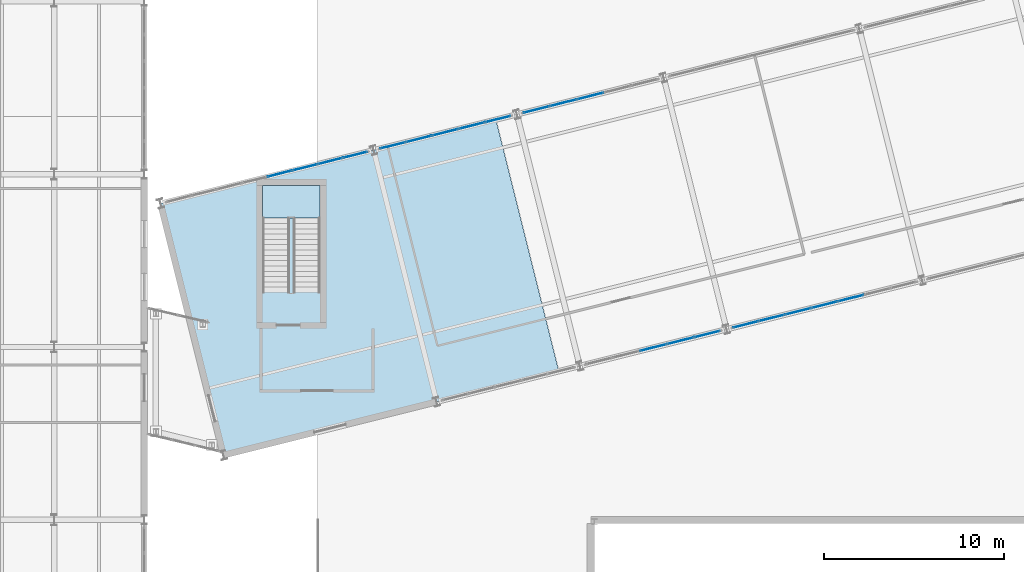
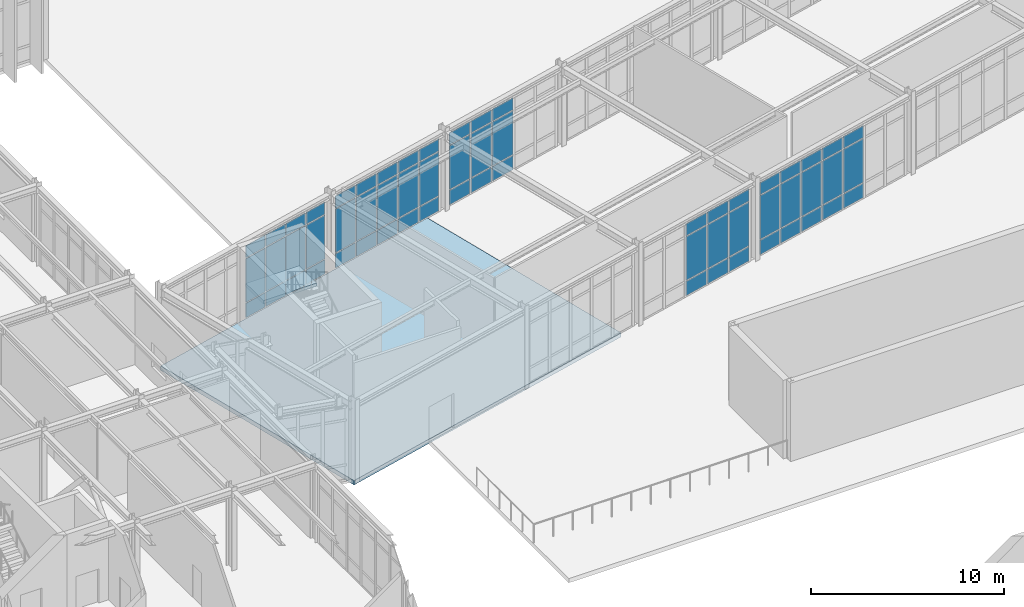
# One storey, part 67 of 109: 60 plates, 2 slabs, 6 elements without a shape of their own.
"""IFC4 building model written with IfcOpenShell, lengths in metres."""

from ifc_helpers import new_model, si_unit, direction, frame, origin, origin_2d, place, context, subcontext, project, spatial, polyline, rectangle, outline, extrude, material, layer, layer_set, type_object, element, aggregate, save


model = new_model("IFC4")

# Units and contexts
model_context = context("Model", 3, precision=1e-05, world=origin(), true_north=direction((0.0, 1.0)))
body_context = subcontext(model_context, "Body", "Model", "MODEL_VIEW")
ifc_project = project(units=[si_unit("LENGTHUNIT", "METRE"), si_unit("AREAUNIT", "SQUARE_METRE"), si_unit("VOLUMEUNIT", "CUBIC_METRE"), si_unit("PLANEANGLEUNIT", "RADIAN"), si_unit("MASSUNIT", "GRAM", prefix="KILO")], contexts=[model_context])

# Site, building, storey
site_placement = place(None, origin())
site = spatial("IfcSite", under=ifc_project, at=site_placement, CompositionType="ELEMENT")
building_placement = place(site_placement, origin())
building = spatial("IfcBuilding", under=site, at=building_placement, Name="Nordkorset Police Headquarters", CompositionType="ELEMENT")
storey_placement = place(building_placement, origin())
storey = spatial("IfcBuildingStorey", under=building, at=storey_placement, Name="L00", CompositionType="ELEMENT", Elevation=0.0)

# Curtain wall, plates
ifc_material_1 = material(Name="Aluminium alloy AW-6060", Category="aluminium")
ifc_layer_1 = layer(ifc_material_1, 0.179931640625, Name="Aluminium alloy AW-6060")
ifc_layer_set_1 = layer_set([ifc_layer_1], Name="Aluminium alloy AW-6060")
curtain_wall_type_1 = type_object("IfcCurtainWallType", Name="CW_Unit_1156x467", PredefinedType="USERDEFINED", material=ifc_layer_set_1)
curtain_wall_1_placement = place(storey_placement, origin())
curtain_wall_1 = element("IfcCurtainWall", 1, at=curtain_wall_1_placement, inside=storey, type_object=curtain_wall_type_1, Name="Unitised Curtain Wall L00 V4N-0", ObjectType="UNITISED CURTAIN WALL", PredefinedType="USERDEFINED")
ifc_material_2 = material(Name="Low-iron triple glazing", Category="glass")
ifc_layer_2 = layer(ifc_material_2, 0.035888671875, Name="Low-iron triple glazing")
ifc_layer_set_2 = layer_set([ifc_layer_2], Name="Low-iron triple glazing")
plate_type = type_object("IfcPlateType", Name="CW_Panel_TripleGlazing_36", PredefinedType="CURTAIN_PANEL", material=ifc_layer_set_2)
plate_1_placement = place(storey_placement, frame((26.726318359375, 57.624755859375, 0.06494140625), z_axis=(0.0, 0.0, 1.0), x_axis=(0.970142347489, 0.242536235663, 0.0)))
plate_1 = element("IfcPlate", 2, at=plate_1_placement, type_object=plate_type, Name="CW-93 panel 5.1", PredefinedType="CURTAIN_PANEL", context=body_context, shape_type="SweptSolid", body=[
    extrude(rectangle(XDim=1.3798828125, YDim=0.035888671875, at=origin_2d()), origin(), (0.0, 0.0, 1.0), 0.902587890625),
])
plate_2_placement = place(storey_placement, frame((26.726318359375, 57.624755859375, 1.032470703125), z_axis=(0.0, 0.0, 1.0), x_axis=(0.970142347489, 0.242536235663, 0.0)))
plate_2 = element("IfcPlate", 3, at=plate_2_placement, type_object=plate_type, Name="CW-93 panel 5.2", PredefinedType="CURTAIN_PANEL", context=body_context, shape_type="SweptSolid", body=[
    extrude(rectangle(XDim=1.3798828125, YDim=0.035888671875, at=origin_2d()), origin(), (0.0, 0.0, 1.0), 2.7548828125),
])
plate_3_placement = place(storey_placement, frame((26.726318359375, 57.624755859375, 3.8525390625), z_axis=(0.0, 0.0, 1.0), x_axis=(0.970142347489, 0.242536235663, 0.0)))
plate_3 = element("IfcPlate", 4, at=plate_3_placement, type_object=plate_type, Name="CW-93 panel 5.3", PredefinedType="CURTAIN_PANEL", context=body_context, shape_type="SweptSolid", body=[
    extrude(rectangle(XDim=1.3798828125, YDim=0.035888671875, at=origin_2d()), origin(), (0.0, 0.0, 1.0), 0.75244140625),
])
plate_4_placement = place(storey_placement, frame((28.128173828125, 57.97509765625, 0.06494140625), z_axis=(0.0, 0.0, 1.0), x_axis=(0.970142347489, 0.242536235663, 0.0)))
plate_4 = element("IfcPlate", 5, at=plate_4_placement, type_object=plate_type, Name="CW-93 panel 6.1", PredefinedType="CURTAIN_PANEL", context=body_context, shape_type="SweptSolid", body=[
    extrude(rectangle(XDim=1.3798828125, YDim=0.035888671875, at=origin_2d()), origin(), (0.0, 0.0, 1.0), 0.902587890625),
])
plate_5_placement = place(storey_placement, frame((28.128173828125, 57.97509765625, 1.032470703125), z_axis=(0.0, 0.0, 1.0), x_axis=(0.970142347489, 0.242536235663, 0.0)))
plate_5 = element("IfcPlate", 6, at=plate_5_placement, type_object=plate_type, Name="CW-93 panel 6.2", PredefinedType="CURTAIN_PANEL", context=body_context, shape_type="SweptSolid", body=[
    extrude(rectangle(XDim=1.3798828125, YDim=0.035888671875, at=origin_2d()), origin(), (0.0, 0.0, 1.0), 2.7548828125),
])
plate_6_placement = place(storey_placement, frame((28.128173828125, 57.97509765625, 3.8525390625), z_axis=(0.0, 0.0, 1.0), x_axis=(0.970142347489, 0.242536235663, 0.0)))
plate_6 = element("IfcPlate", 7, at=plate_6_placement, type_object=plate_type, Name="CW-93 panel 6.3", PredefinedType="CURTAIN_PANEL", context=body_context, shape_type="SweptSolid", body=[
    extrude(rectangle(XDim=1.3798828125, YDim=0.035888671875, at=origin_2d()), origin(), (0.0, 0.0, 1.0), 0.75244140625),
])
plate_7_placement = place(storey_placement, frame((29.530029296875, 58.32568359375, 0.06494140625), z_axis=(0.0, 0.0, 1.0), x_axis=(0.970142347489, 0.242536235663, 0.0)))
plate_7 = element("IfcPlate", 8, at=plate_7_placement, type_object=plate_type, Name="CW-93 panel 7.1", PredefinedType="CURTAIN_PANEL", context=body_context, shape_type="SweptSolid", body=[
    extrude(rectangle(XDim=1.3798828125, YDim=0.035888671875, at=origin_2d()), origin(), (0.0, 0.0, 1.0), 0.902587890625),
])
plate_8_placement = place(storey_placement, frame((29.530029296875, 58.32568359375, 1.032470703125), z_axis=(0.0, 0.0, 1.0), x_axis=(0.970142347489, 0.242536235663, 0.0)))
plate_8 = element("IfcPlate", 9, at=plate_8_placement, type_object=plate_type, Name="CW-93 panel 7.2", PredefinedType="CURTAIN_PANEL", context=body_context, shape_type="SweptSolid", body=[
    extrude(rectangle(XDim=1.3798828125, YDim=0.035888671875, at=origin_2d()), origin(), (0.0, 0.0, 1.0), 2.7548828125),
])
plate_9_placement = place(storey_placement, frame((29.530029296875, 58.32568359375, 3.8525390625), z_axis=(0.0, 0.0, 1.0), x_axis=(0.970142347489, 0.242536235663, 0.0)))
plate_9 = element("IfcPlate", 10, at=plate_9_placement, type_object=plate_type, Name="CW-93 panel 7.3", PredefinedType="CURTAIN_PANEL", context=body_context, shape_type="SweptSolid", body=[
    extrude(rectangle(XDim=1.3798828125, YDim=0.035888671875, at=origin_2d()), origin(), (0.0, 0.0, 1.0), 0.75244140625),
])
plate_10_placement = place(storey_placement, frame((30.916015625, 58.672119140625, 0.06494140625), z_axis=(0.0, 0.0, 1.0), x_axis=(0.970142347489, 0.242536235663, 0.0)))
plate_10 = element("IfcPlate", 11, at=plate_10_placement, type_object=plate_type, Name="CW-93 panel 8.1", PredefinedType="CURTAIN_PANEL", context=body_context, shape_type="SweptSolid", body=[
    extrude(rectangle(XDim=1.347412109375, YDim=0.035888671875, at=origin_2d()), origin(), (0.0, 0.0, 1.0), 0.902587890625),
])
plate_11_placement = place(storey_placement, frame((30.916015625, 58.672119140625, 1.032470703125), z_axis=(0.0, 0.0, 1.0), x_axis=(0.970142347489, 0.242536235663, 0.0)))
plate_11 = element("IfcPlate", 12, at=plate_11_placement, type_object=plate_type, Name="CW-93 panel 8.2", PredefinedType="CURTAIN_PANEL", context=body_context, shape_type="SweptSolid", body=[
    extrude(rectangle(XDim=1.347412109375, YDim=0.035888671875, at=origin_2d()), origin(), (0.0, 0.0, 1.0), 2.7548828125),
])
plate_12_placement = place(storey_placement, frame((30.916015625, 58.672119140625, 3.8525390625), z_axis=(0.0, 0.0, 1.0), x_axis=(0.970142347489, 0.242536235663, 0.0)))
plate_12 = element("IfcPlate", 13, at=plate_12_placement, type_object=plate_type, Name="CW-93 panel 8.3", PredefinedType="CURTAIN_PANEL", context=body_context, shape_type="SweptSolid", body=[
    extrude(rectangle(XDim=1.347412109375, YDim=0.035888671875, at=origin_2d()), origin(), (0.0, 0.0, 1.0), 0.75244140625),
])
aggregate(curtain_wall_1, [plate_1, plate_2, plate_3, plate_4, plate_5, plate_6, plate_7, plate_8, plate_9, plate_10, plate_11, plate_12])

ifc_material_3 = material(Name="Aluminium alloy AW-6060", Category="aluminium")
ifc_layer_3 = layer(ifc_material_3, 0.179931640625, Name="Aluminium alloy AW-6060")
ifc_layer_set_3 = layer_set([ifc_layer_3], Name="Aluminium alloy AW-6060")
curtain_wall_type_2 = type_object("IfcCurtainWallType", Name="CW_Unit_756x467", PredefinedType="USERDEFINED", material=ifc_layer_set_3)
curtain_wall_2_placement = place(storey_placement, origin())
curtain_wall_2 = element("IfcCurtainWall", 14, at=curtain_wall_2_placement, inside=storey, type_object=curtain_wall_type_2, Name="Unitised Curtain Wall L00 V4N-1", ObjectType="UNITISED CURTAIN WALL", PredefinedType="USERDEFINED")
plate_13_placement = place(storey_placement, frame((33.0029296875, 59.19384765625, 0.06494140625), z_axis=(0.0, 0.0, 1.0), x_axis=(0.970142500145, 0.242535625038, 0.0)))
plate_13 = element("IfcPlate", 15, at=plate_13_placement, type_object=plate_type, Name="CW-54 panel 1.1", PredefinedType="CURTAIN_PANEL", context=body_context, shape_type="SweptSolid", body=[
    extrude(rectangle(XDim=1.41455078125, YDim=0.035888671875, at=origin_2d()), origin(), (0.0, 0.0, 1.0), 0.902587890625),
])
plate_14_placement = place(storey_placement, frame((33.0029296875, 59.19384765625, 1.032470703125), z_axis=(0.0, 0.0, 1.0), x_axis=(0.970142500145, 0.242535625038, 0.0)))
plate_14 = element("IfcPlate", 16, at=plate_14_placement, type_object=plate_type, Name="CW-54 panel 1.2", PredefinedType="CURTAIN_PANEL", context=body_context, shape_type="SweptSolid", body=[
    extrude(rectangle(XDim=1.41455078125, YDim=0.035888671875, at=origin_2d()), origin(), (0.0, 0.0, 1.0), 2.7548828125),
])
plate_15_placement = place(storey_placement, frame((33.0029296875, 59.19384765625, 3.8525390625), z_axis=(0.0, 0.0, 1.0), x_axis=(0.970142500145, 0.242535625038, 0.0)))
plate_15 = element("IfcPlate", 17, at=plate_15_placement, type_object=plate_type, Name="CW-54 panel 1.3", PredefinedType="CURTAIN_PANEL", context=body_context, shape_type="SweptSolid", body=[
    extrude(rectangle(XDim=1.41455078125, YDim=0.035888671875, at=origin_2d()), origin(), (0.0, 0.0, 1.0), 0.75244140625),
])
plate_16_placement = place(storey_placement, frame((34.453857421875, 59.556640625, 0.06494140625), z_axis=(0.0, 0.0, 1.0), x_axis=(0.970142500145, 0.242535625038, 0.0)))
plate_16 = element("IfcPlate", 18, at=plate_16_placement, type_object=plate_type, Name="CW-54 panel 2.1", PredefinedType="CURTAIN_PANEL", context=body_context, shape_type="SweptSolid", body=[
    extrude(rectangle(XDim=1.447021484375, YDim=0.035888671875, at=origin_2d()), origin(), (0.0, 0.0, 1.0), 0.902587890625),
])
plate_17_placement = place(storey_placement, frame((34.453857421875, 59.556640625, 1.032470703125), z_axis=(0.0, 0.0, 1.0), x_axis=(0.970142500145, 0.242535625038, 0.0)))
plate_17 = element("IfcPlate", 19, at=plate_17_placement, type_object=plate_type, Name="CW-54 panel 2.2", PredefinedType="CURTAIN_PANEL", context=body_context, shape_type="SweptSolid", body=[
    extrude(rectangle(XDim=1.447021484375, YDim=0.035888671875, at=origin_2d()), origin(), (0.0, 0.0, 1.0), 2.7548828125),
])
plate_18_placement = place(storey_placement, frame((34.453857421875, 59.556640625, 3.8525390625), z_axis=(0.0, 0.0, 1.0), x_axis=(0.970142500145, 0.242535625038, 0.0)))
plate_18 = element("IfcPlate", 20, at=plate_18_placement, type_object=plate_type, Name="CW-54 panel 2.3", PredefinedType="CURTAIN_PANEL", context=body_context, shape_type="SweptSolid", body=[
    extrude(rectangle(XDim=1.447021484375, YDim=0.035888671875, at=origin_2d()), origin(), (0.0, 0.0, 1.0), 0.75244140625),
])
plate_19_placement = place(storey_placement, frame((35.9208984375, 59.92333984375, 0.06494140625), z_axis=(0.0, 0.0, 1.0), x_axis=(0.970142500145, 0.242535625038, 0.0)))
plate_19 = element("IfcPlate", 21, at=plate_19_placement, type_object=plate_type, Name="CW-54 panel 3.1", PredefinedType="CURTAIN_PANEL", context=body_context, shape_type="SweptSolid", body=[
    extrude(rectangle(XDim=1.447021484375, YDim=0.035888671875, at=origin_2d()), origin(), (0.0, 0.0, 1.0), 0.902587890625),
])
plate_20_placement = place(storey_placement, frame((35.9208984375, 59.92333984375, 1.032470703125), z_axis=(0.0, 0.0, 1.0), x_axis=(0.970142500145, 0.242535625038, 0.0)))
plate_20 = element("IfcPlate", 22, at=plate_20_placement, type_object=plate_type, Name="CW-54 panel 3.2", PredefinedType="CURTAIN_PANEL", context=body_context, shape_type="SweptSolid", body=[
    extrude(rectangle(XDim=1.447021484375, YDim=0.035888671875, at=origin_2d()), origin(), (0.0, 0.0, 1.0), 2.7548828125),
])
plate_21_placement = place(storey_placement, frame((35.9208984375, 59.92333984375, 3.8525390625), z_axis=(0.0, 0.0, 1.0), x_axis=(0.970142500145, 0.242535625038, 0.0)))
plate_21 = element("IfcPlate", 23, at=plate_21_placement, type_object=plate_type, Name="CW-54 panel 3.3", PredefinedType="CURTAIN_PANEL", context=body_context, shape_type="SweptSolid", body=[
    extrude(rectangle(XDim=1.447021484375, YDim=0.035888671875, at=origin_2d()), origin(), (0.0, 0.0, 1.0), 0.75244140625),
])
plate_22_placement = place(storey_placement, frame((37.3876953125, 60.2900390625, 0.06494140625), z_axis=(0.0, 0.0, 1.0), x_axis=(0.970142500145, 0.242535625038, 0.0)))
plate_22 = element("IfcPlate", 24, at=plate_22_placement, type_object=plate_type, Name="CW-54 panel 4.1", PredefinedType="CURTAIN_PANEL", context=body_context, shape_type="SweptSolid", body=[
    extrude(rectangle(XDim=1.447021484375, YDim=0.035888671875, at=origin_2d()), origin(), (0.0, 0.0, 1.0), 0.902587890625),
])
plate_23_placement = place(storey_placement, frame((37.3876953125, 60.2900390625, 1.032470703125), z_axis=(0.0, 0.0, 1.0), x_axis=(0.970142500145, 0.242535625038, 0.0)))
plate_23 = element("IfcPlate", 25, at=plate_23_placement, type_object=plate_type, Name="CW-54 panel 4.2", PredefinedType="CURTAIN_PANEL", context=body_context, shape_type="SweptSolid", body=[
    extrude(rectangle(XDim=1.447021484375, YDim=0.035888671875, at=origin_2d()), origin(), (0.0, 0.0, 1.0), 2.7548828125),
])
plate_24_placement = place(storey_placement, frame((37.3876953125, 60.2900390625, 3.8525390625), z_axis=(0.0, 0.0, 1.0), x_axis=(0.970142500145, 0.242535625038, 0.0)))
plate_24 = element("IfcPlate", 26, at=plate_24_placement, type_object=plate_type, Name="CW-54 panel 4.3", PredefinedType="CURTAIN_PANEL", context=body_context, shape_type="SweptSolid", body=[
    extrude(rectangle(XDim=1.447021484375, YDim=0.035888671875, at=origin_2d()), origin(), (0.0, 0.0, 1.0), 0.75244140625),
])
plate_25_placement = place(storey_placement, frame((38.8388671875, 60.65283203125, 0.06494140625), z_axis=(0.0, 0.0, 1.0), x_axis=(0.970142500145, 0.242535625038, 0.0)))
plate_25 = element("IfcPlate", 27, at=plate_25_placement, type_object=plate_type, Name="CW-54 panel 5.1", PredefinedType="CURTAIN_PANEL", context=body_context, shape_type="SweptSolid", body=[
    extrude(rectangle(XDim=1.41455078125, YDim=0.035888671875, at=origin_2d()), origin(), (0.0, 0.0, 1.0), 0.902587890625),
])
plate_26_placement = place(storey_placement, frame((38.8388671875, 60.65283203125, 1.032470703125), z_axis=(0.0, 0.0, 1.0), x_axis=(0.970142500145, 0.242535625038, 0.0)))
plate_26 = element("IfcPlate", 28, at=plate_26_placement, type_object=plate_type, Name="CW-54 panel 5.2", PredefinedType="CURTAIN_PANEL", context=body_context, shape_type="SweptSolid", body=[
    extrude(rectangle(XDim=1.41455078125, YDim=0.035888671875, at=origin_2d()), origin(), (0.0, 0.0, 1.0), 2.7548828125),
])
plate_27_placement = place(storey_placement, frame((38.8388671875, 60.65283203125, 3.8525390625), z_axis=(0.0, 0.0, 1.0), x_axis=(0.970142500145, 0.242535625038, 0.0)))
plate_27 = element("IfcPlate", 29, at=plate_27_placement, type_object=plate_type, Name="CW-54 panel 5.3", PredefinedType="CURTAIN_PANEL", context=body_context, shape_type="SweptSolid", body=[
    extrude(rectangle(XDim=1.41455078125, YDim=0.035888671875, at=origin_2d()), origin(), (0.0, 0.0, 1.0), 0.75244140625),
])
aggregate(curtain_wall_2, [plate_13, plate_14, plate_15, plate_16, plate_17, plate_18, plate_19, plate_20, plate_21, plate_22, plate_23, plate_24, plate_25, plate_26, plate_27])

ifc_material_4 = material(Name="Aluminium alloy AW-6060", Category="aluminium")
ifc_layer_4 = layer(ifc_material_4, 0.179931640625, Name="Aluminium alloy AW-6060")
ifc_layer_set_4 = layer_set([ifc_layer_4], Name="Aluminium alloy AW-6060")
curtain_wall_type_3 = type_object("IfcCurtainWallType", Name="CW_Unit_776x467", PredefinedType="USERDEFINED", material=ifc_layer_set_4)
curtain_wall_3_placement = place(storey_placement, origin())
curtain_wall_3 = element("IfcCurtainWall", 30, at=curtain_wall_3_placement, inside=storey, type_object=curtain_wall_type_3, Name="Unitised Curtain Wall L00 V4S-2", ObjectType="UNITISED CURTAIN WALL", PredefinedType="USERDEFINED")
plate_28_placement = place(storey_placement, frame((47.465576171875, 47.96630859375, 0.06494140625), z_axis=(0.0, 0.0, 1.0), x_axis=(0.970142727556, 0.24253471539, 0.0)))
plate_28 = element("IfcPlate", 31, at=plate_28_placement, type_object=plate_type, Name="CW-99 panel 3.1", PredefinedType="CURTAIN_PANEL", context=body_context, shape_type="SweptSolid", body=[
    extrude(rectangle(XDim=1.487060546875, YDim=0.035888671875, at=origin_2d()), origin(), (0.0, 0.0, 1.0), 0.902587890625),
])
plate_29_placement = place(storey_placement, frame((47.465576171875, 47.96630859375, 1.032470703125), z_axis=(0.0, 0.0, 1.0), x_axis=(0.970142727556, 0.24253471539, 0.0)))
plate_29 = element("IfcPlate", 32, at=plate_29_placement, type_object=plate_type, Name="CW-99 panel 3.2", PredefinedType="CURTAIN_PANEL", context=body_context, shape_type="SweptSolid", body=[
    extrude(rectangle(XDim=1.487060546875, YDim=0.035888671875, at=origin_2d()), origin(), (0.0, 0.0, 1.0), 2.7548828125),
])
plate_30_placement = place(storey_placement, frame((47.465576171875, 47.96630859375, 3.8525390625), z_axis=(0.0, 0.0, 1.0), x_axis=(0.970142727556, 0.24253471539, 0.0)))
plate_30 = element("IfcPlate", 33, at=plate_30_placement, type_object=plate_type, Name="CW-99 panel 3.3", PredefinedType="CURTAIN_PANEL", context=body_context, shape_type="SweptSolid", body=[
    extrude(rectangle(XDim=1.487060546875, YDim=0.035888671875, at=origin_2d()), origin(), (0.0, 0.0, 1.0), 0.75244140625),
])
plate_31_placement = place(storey_placement, frame((48.97119140625, 48.3427734375, 0.06494140625), z_axis=(0.0, 0.0, 1.0), x_axis=(0.970142727556, 0.24253471539, 0.0)))
plate_31 = element("IfcPlate", 34, at=plate_31_placement, type_object=plate_type, Name="CW-99 panel 4.1", PredefinedType="CURTAIN_PANEL", context=body_context, shape_type="SweptSolid", body=[
    extrude(rectangle(XDim=1.487060546875, YDim=0.035888671875, at=origin_2d()), origin(), (0.0, 0.0, 1.0), 0.902587890625),
])
plate_32_placement = place(storey_placement, frame((48.97119140625, 48.3427734375, 1.032470703125), z_axis=(0.0, 0.0, 1.0), x_axis=(0.970142727556, 0.24253471539, 0.0)))
plate_32 = element("IfcPlate", 35, at=plate_32_placement, type_object=plate_type, Name="CW-99 panel 4.2", PredefinedType="CURTAIN_PANEL", context=body_context, shape_type="SweptSolid", body=[
    extrude(rectangle(XDim=1.487060546875, YDim=0.035888671875, at=origin_2d()), origin(), (0.0, 0.0, 1.0), 2.7548828125),
])
plate_33_placement = place(storey_placement, frame((48.97119140625, 48.3427734375, 3.8525390625), z_axis=(0.0, 0.0, 1.0), x_axis=(0.970142727556, 0.24253471539, 0.0)))
plate_33 = element("IfcPlate", 36, at=plate_33_placement, type_object=plate_type, Name="CW-99 panel 4.3", PredefinedType="CURTAIN_PANEL", context=body_context, shape_type="SweptSolid", body=[
    extrude(rectangle(XDim=1.487060546875, YDim=0.035888671875, at=origin_2d()), origin(), (0.0, 0.0, 1.0), 0.75244140625),
])
plate_34_placement = place(storey_placement, frame((50.461181640625, 48.71533203125, 0.06494140625), z_axis=(0.0, 0.0, 1.0), x_axis=(0.970142727556, 0.24253471539, 0.0)))
plate_34 = element("IfcPlate", 37, at=plate_34_placement, type_object=plate_type, Name="CW-99 panel 5.1", PredefinedType="CURTAIN_PANEL", context=body_context, shape_type="SweptSolid", body=[
    extrude(rectangle(XDim=1.45458984375, YDim=0.035888671875, at=origin_2d()), origin(), (0.0, 0.0, 1.0), 0.902587890625),
])
plate_35_placement = place(storey_placement, frame((50.461181640625, 48.71533203125, 1.032470703125), z_axis=(0.0, 0.0, 1.0), x_axis=(0.970142727556, 0.24253471539, 0.0)))
plate_35 = element("IfcPlate", 38, at=plate_35_placement, type_object=plate_type, Name="CW-99 panel 5.2", PredefinedType="CURTAIN_PANEL", context=body_context, shape_type="SweptSolid", body=[
    extrude(rectangle(XDim=1.45458984375, YDim=0.035888671875, at=origin_2d()), origin(), (0.0, 0.0, 1.0), 2.7548828125),
])
plate_36_placement = place(storey_placement, frame((50.461181640625, 48.71533203125, 3.8525390625), z_axis=(0.0, 0.0, 1.0), x_axis=(0.970142727556, 0.24253471539, 0.0)))
plate_36 = element("IfcPlate", 39, at=plate_36_placement, type_object=plate_type, Name="CW-99 panel 5.3", PredefinedType="CURTAIN_PANEL", context=body_context, shape_type="SweptSolid", body=[
    extrude(rectangle(XDim=1.45458984375, YDim=0.035888671875, at=origin_2d()), origin(), (0.0, 0.0, 1.0), 0.75244140625),
])
aggregate(curtain_wall_3, [plate_28, plate_29, plate_30, plate_31, plate_32, plate_33, plate_34, plate_35, plate_36])

curtain_wall_4_placement = place(storey_placement, origin())
curtain_wall_4 = element("IfcCurtainWall", 40, at=curtain_wall_4_placement, inside=storey, type_object=curtain_wall_type_3, Name="Unitised Curtain Wall L00 V4N-2", ObjectType="UNITISED CURTAIN WALL", PredefinedType="USERDEFINED")
plate_37_placement = place(storey_placement, frame((40.9775390625, 61.1875, 0.06494140625), z_axis=(0.0, 0.0, 1.0), x_axis=(0.970142424344, 0.242535928242, 0.0)))
plate_37 = element("IfcPlate", 41, at=plate_37_placement, type_object=plate_type, Name="CW-99 panel 1.1", PredefinedType="CURTAIN_PANEL", context=body_context, shape_type="SweptSolid", body=[
    extrude(rectangle(XDim=1.45458984375, YDim=0.035888671875, at=origin_2d()), origin(), (0.0, 0.0, 1.0), 0.902587890625),
])
plate_38_placement = place(storey_placement, frame((40.9775390625, 61.1875, 1.032470703125), z_axis=(0.0, 0.0, 1.0), x_axis=(0.970142424344, 0.242535928242, 0.0)))
plate_38 = element("IfcPlate", 42, at=plate_38_placement, type_object=plate_type, Name="CW-99 panel 1.2", PredefinedType="CURTAIN_PANEL", context=body_context, shape_type="SweptSolid", body=[
    extrude(rectangle(XDim=1.45458984375, YDim=0.035888671875, at=origin_2d()), origin(), (0.0, 0.0, 1.0), 2.7548828125),
])
plate_39_placement = place(storey_placement, frame((40.9775390625, 61.1875, 3.8525390625), z_axis=(0.0, 0.0, 1.0), x_axis=(0.970142424344, 0.242535928242, 0.0)))
plate_39 = element("IfcPlate", 43, at=plate_39_placement, type_object=plate_type, Name="CW-99 panel 1.3", PredefinedType="CURTAIN_PANEL", context=body_context, shape_type="SweptSolid", body=[
    extrude(rectangle(XDim=1.45458984375, YDim=0.035888671875, at=origin_2d()), origin(), (0.0, 0.0, 1.0), 0.75244140625),
])
plate_40_placement = place(storey_placement, frame((42.46728515625, 61.56005859375, 0.06494140625), z_axis=(0.0, 0.0, 1.0), x_axis=(0.970142424344, 0.242535928242, 0.0)))
plate_40 = element("IfcPlate", 44, at=plate_40_placement, type_object=plate_type, Name="CW-99 panel 2.1", PredefinedType="CURTAIN_PANEL", context=body_context, shape_type="SweptSolid", body=[
    extrude(rectangle(XDim=1.487060546875, YDim=0.035888671875, at=origin_2d()), origin(), (0.0, 0.0, 1.0), 0.902587890625),
])
plate_41_placement = place(storey_placement, frame((42.46728515625, 61.56005859375, 1.032470703125), z_axis=(0.0, 0.0, 1.0), x_axis=(0.970142424344, 0.242535928242, 0.0)))
plate_41 = element("IfcPlate", 45, at=plate_41_placement, type_object=plate_type, Name="CW-99 panel 2.2", PredefinedType="CURTAIN_PANEL", context=body_context, shape_type="SweptSolid", body=[
    extrude(rectangle(XDim=1.487060546875, YDim=0.035888671875, at=origin_2d()), origin(), (0.0, 0.0, 1.0), 2.7548828125),
])
plate_42_placement = place(storey_placement, frame((42.46728515625, 61.56005859375, 3.8525390625), z_axis=(0.0, 0.0, 1.0), x_axis=(0.970142424344, 0.242535928242, 0.0)))
plate_42 = element("IfcPlate", 46, at=plate_42_placement, type_object=plate_type, Name="CW-99 panel 2.3", PredefinedType="CURTAIN_PANEL", context=body_context, shape_type="SweptSolid", body=[
    extrude(rectangle(XDim=1.487060546875, YDim=0.035888671875, at=origin_2d()), origin(), (0.0, 0.0, 1.0), 0.75244140625),
])
plate_43_placement = place(storey_placement, frame((43.972900390625, 61.9365234375, 0.06494140625), z_axis=(0.0, 0.0, 1.0), x_axis=(0.970142424344, 0.242535928242, 0.0)))
plate_43 = element("IfcPlate", 47, at=plate_43_placement, type_object=plate_type, Name="CW-99 panel 3.1", PredefinedType="CURTAIN_PANEL", context=body_context, shape_type="SweptSolid", body=[
    extrude(rectangle(XDim=1.487060546875, YDim=0.035888671875, at=origin_2d()), origin(), (0.0, 0.0, 1.0), 0.902587890625),
])
plate_44_placement = place(storey_placement, frame((43.972900390625, 61.9365234375, 1.032470703125), z_axis=(0.0, 0.0, 1.0), x_axis=(0.970142424344, 0.242535928242, 0.0)))
plate_44 = element("IfcPlate", 48, at=plate_44_placement, type_object=plate_type, Name="CW-99 panel 3.2", PredefinedType="CURTAIN_PANEL", context=body_context, shape_type="SweptSolid", body=[
    extrude(rectangle(XDim=1.487060546875, YDim=0.035888671875, at=origin_2d()), origin(), (0.0, 0.0, 1.0), 2.7548828125),
])
plate_45_placement = place(storey_placement, frame((43.972900390625, 61.9365234375, 3.8525390625), z_axis=(0.0, 0.0, 1.0), x_axis=(0.970142424344, 0.242535928242, 0.0)))
plate_45 = element("IfcPlate", 49, at=plate_45_placement, type_object=plate_type, Name="CW-99 panel 3.3", PredefinedType="CURTAIN_PANEL", context=body_context, shape_type="SweptSolid", body=[
    extrude(rectangle(XDim=1.487060546875, YDim=0.035888671875, at=origin_2d()), origin(), (0.0, 0.0, 1.0), 0.75244140625),
])
aggregate(curtain_wall_4, [plate_37, plate_38, plate_39, plate_40, plate_41, plate_42, plate_43, plate_44, plate_45])

ifc_material_5 = material(Name="Aluminium alloy AW-6060", Category="aluminium")
ifc_layer_5 = layer(ifc_material_5, 0.179931640625, Name="Aluminium alloy AW-6060")
ifc_layer_set_5 = layer_set([ifc_layer_5], Name="Aluminium alloy AW-6060")
curtain_wall_type_4 = type_object("IfcCurtainWallType", Name="CW_Unit_1056x467", PredefinedType="USERDEFINED", material=ifc_layer_set_5)
curtain_wall_5_placement = place(storey_placement, origin())
curtain_wall_5 = element("IfcCurtainWall", 50, at=curtain_wall_5_placement, inside=storey, type_object=curtain_wall_type_4, Name="Unitised Curtain Wall L00 V4S-3", ObjectType="UNITISED CURTAIN WALL", PredefinedType="USERDEFINED")
plate_46_placement = place(storey_placement, frame((52.59814453125, 49.24951171875, 0.06494140625), z_axis=(0.0, 0.0, 1.0), x_axis=(0.970142611554, 0.242535179399, 0.0)))
plate_46 = element("IfcPlate", 51, at=plate_46_placement, type_object=plate_type, Name="CW-18 panel 1.1", PredefinedType="CURTAIN_PANEL", context=body_context, shape_type="SweptSolid", body=[
    extrude(rectangle(XDim=1.4111328125, YDim=0.035888671875, at=origin_2d()), origin(), (0.0, 0.0, 1.0), 0.902587890625),
])
plate_47_placement = place(storey_placement, frame((52.59814453125, 49.24951171875, 1.032470703125), z_axis=(0.0, 0.0, 1.0), x_axis=(0.970142611554, 0.242535179399, 0.0)))
plate_47 = element("IfcPlate", 52, at=plate_47_placement, type_object=plate_type, Name="CW-18 panel 1.2", PredefinedType="CURTAIN_PANEL", context=body_context, shape_type="SweptSolid", body=[
    extrude(rectangle(XDim=1.4111328125, YDim=0.035888671875, at=origin_2d()), origin(), (0.0, 0.0, 1.0), 2.7548828125),
])
plate_48_placement = place(storey_placement, frame((52.59814453125, 49.24951171875, 3.8525390625), z_axis=(0.0, 0.0, 1.0), x_axis=(0.970142611554, 0.242535179399, 0.0)))
plate_48 = element("IfcPlate", 53, at=plate_48_placement, type_object=plate_type, Name="CW-18 panel 1.3", PredefinedType="CURTAIN_PANEL", context=body_context, shape_type="SweptSolid", body=[
    extrude(rectangle(XDim=1.4111328125, YDim=0.035888671875, at=origin_2d()), origin(), (0.0, 0.0, 1.0), 0.75244140625),
])
plate_49_placement = place(storey_placement, frame((54.0458984375, 49.611572265625, 0.06494140625), z_axis=(0.0, 0.0, 1.0), x_axis=(0.970142611554, 0.242535179399, 0.0)))
plate_49 = element("IfcPlate", 54, at=plate_49_placement, type_object=plate_type, Name="CW-18 panel 2.1", PredefinedType="CURTAIN_PANEL", context=body_context, shape_type="SweptSolid", body=[
    extrude(rectangle(XDim=1.443603515625, YDim=0.035888671875, at=origin_2d()), origin(), (0.0, 0.0, 1.0), 0.902587890625),
])
plate_50_placement = place(storey_placement, frame((54.0458984375, 49.611572265625, 1.032470703125), z_axis=(0.0, 0.0, 1.0), x_axis=(0.970142611554, 0.242535179399, 0.0)))
plate_50 = element("IfcPlate", 55, at=plate_50_placement, type_object=plate_type, Name="CW-18 panel 2.2", PredefinedType="CURTAIN_PANEL", context=body_context, shape_type="SweptSolid", body=[
    extrude(rectangle(XDim=1.443603515625, YDim=0.035888671875, at=origin_2d()), origin(), (0.0, 0.0, 1.0), 2.7548828125),
])
plate_51_placement = place(storey_placement, frame((54.0458984375, 49.611572265625, 3.8525390625), z_axis=(0.0, 0.0, 1.0), x_axis=(0.970142611554, 0.242535179399, 0.0)))
plate_51 = element("IfcPlate", 56, at=plate_51_placement, type_object=plate_type, Name="CW-18 panel 2.3", PredefinedType="CURTAIN_PANEL", context=body_context, shape_type="SweptSolid", body=[
    extrude(rectangle(XDim=1.443603515625, YDim=0.035888671875, at=origin_2d()), origin(), (0.0, 0.0, 1.0), 0.75244140625),
])
plate_52_placement = place(storey_placement, frame((55.50927734375, 49.977294921875, 0.06494140625), z_axis=(0.0, 0.0, 1.0), x_axis=(0.970142611554, 0.242535179399, 0.0)))
plate_52 = element("IfcPlate", 57, at=plate_52_placement, type_object=plate_type, Name="CW-18 panel 3.1", PredefinedType="CURTAIN_PANEL", context=body_context, shape_type="SweptSolid", body=[
    extrude(rectangle(XDim=1.443603515625, YDim=0.035888671875, at=origin_2d()), origin(), (0.0, 0.0, 1.0), 0.902587890625),
])
plate_53_placement = place(storey_placement, frame((55.50927734375, 49.977294921875, 1.032470703125), z_axis=(0.0, 0.0, 1.0), x_axis=(0.970142611554, 0.242535179399, 0.0)))
plate_53 = element("IfcPlate", 58, at=plate_53_placement, type_object=plate_type, Name="CW-18 panel 3.2", PredefinedType="CURTAIN_PANEL", context=body_context, shape_type="SweptSolid", body=[
    extrude(rectangle(XDim=1.443603515625, YDim=0.035888671875, at=origin_2d()), origin(), (0.0, 0.0, 1.0), 2.7548828125),
])
plate_54_placement = place(storey_placement, frame((55.50927734375, 49.977294921875, 3.8525390625), z_axis=(0.0, 0.0, 1.0), x_axis=(0.970142611554, 0.242535179399, 0.0)))
plate_54 = element("IfcPlate", 59, at=plate_54_placement, type_object=plate_type, Name="CW-18 panel 3.3", PredefinedType="CURTAIN_PANEL", context=body_context, shape_type="SweptSolid", body=[
    extrude(rectangle(XDim=1.443603515625, YDim=0.035888671875, at=origin_2d()), origin(), (0.0, 0.0, 1.0), 0.75244140625),
])
plate_55_placement = place(storey_placement, frame((56.972900390625, 50.34326171875, 0.06494140625), z_axis=(0.0, 0.0, 1.0), x_axis=(0.970142611554, 0.242535179399, 0.0)))
plate_55 = element("IfcPlate", 60, at=plate_55_placement, type_object=plate_type, Name="CW-18 panel 4.1", PredefinedType="CURTAIN_PANEL", context=body_context, shape_type="SweptSolid", body=[
    extrude(rectangle(XDim=1.443603515625, YDim=0.035888671875, at=origin_2d()), origin(), (0.0, 0.0, 1.0), 0.902587890625),
])
plate_56_placement = place(storey_placement, frame((56.972900390625, 50.34326171875, 1.032470703125), z_axis=(0.0, 0.0, 1.0), x_axis=(0.970142611554, 0.242535179399, 0.0)))
plate_56 = element("IfcPlate", 61, at=plate_56_placement, type_object=plate_type, Name="CW-18 panel 4.2", PredefinedType="CURTAIN_PANEL", context=body_context, shape_type="SweptSolid", body=[
    extrude(rectangle(XDim=1.443603515625, YDim=0.035888671875, at=origin_2d()), origin(), (0.0, 0.0, 1.0), 2.7548828125),
])
plate_57_placement = place(storey_placement, frame((56.972900390625, 50.34326171875, 3.8525390625), z_axis=(0.0, 0.0, 1.0), x_axis=(0.970142611554, 0.242535179399, 0.0)))
plate_57 = element("IfcPlate", 62, at=plate_57_placement, type_object=plate_type, Name="CW-18 panel 4.3", PredefinedType="CURTAIN_PANEL", context=body_context, shape_type="SweptSolid", body=[
    extrude(rectangle(XDim=1.443603515625, YDim=0.035888671875, at=origin_2d()), origin(), (0.0, 0.0, 1.0), 0.75244140625),
])
plate_58_placement = place(storey_placement, frame((58.4365234375, 50.708984375, 0.06494140625), z_axis=(0.0, 0.0, 1.0), x_axis=(0.970142611554, 0.242535179399, 0.0)))
plate_58 = element("IfcPlate", 63, at=plate_58_placement, type_object=plate_type, Name="CW-18 panel 5.1", PredefinedType="CURTAIN_PANEL", context=body_context, shape_type="SweptSolid", body=[
    extrude(rectangle(XDim=1.443603515625, YDim=0.035888671875, at=origin_2d()), origin(), (0.0, 0.0, 1.0), 0.902587890625),
])
plate_59_placement = place(storey_placement, frame((58.4365234375, 50.708984375, 1.032470703125), z_axis=(0.0, 0.0, 1.0), x_axis=(0.970142611554, 0.242535179399, 0.0)))
plate_59 = element("IfcPlate", 64, at=plate_59_placement, type_object=plate_type, Name="CW-18 panel 5.2", PredefinedType="CURTAIN_PANEL", context=body_context, shape_type="SweptSolid", body=[
    extrude(rectangle(XDim=1.443603515625, YDim=0.035888671875, at=origin_2d()), origin(), (0.0, 0.0, 1.0), 2.7548828125),
])
plate_60_placement = place(storey_placement, frame((58.4365234375, 50.708984375, 3.8525390625), z_axis=(0.0, 0.0, 1.0), x_axis=(0.970142611554, 0.242535179399, 0.0)))
plate_60 = element("IfcPlate", 65, at=plate_60_placement, type_object=plate_type, Name="CW-18 panel 5.3", PredefinedType="CURTAIN_PANEL", context=body_context, shape_type="SweptSolid", body=[
    extrude(rectangle(XDim=1.443603515625, YDim=0.035888671875, at=origin_2d()), origin(), (0.0, 0.0, 1.0), 0.75244140625),
])
aggregate(curtain_wall_5, [plate_46, plate_47, plate_48, plate_49, plate_50, plate_51, plate_52, plate_53, plate_54, plate_55, plate_56, plate_57, plate_58, plate_59, plate_60])

# Slab
ifc_material_6 = material(Name="Concrete C35/45", Category="concrete")
ifc_layer_6 = layer(ifc_material_6, 0.27001953125, Name="Concrete C35/45")
ifc_layer_set_6 = layer_set([ifc_layer_6], Name="Concrete C35/45")
slab_type_1 = type_object("IfcSlabType", Name="Slab_Ground_270", PredefinedType="FLOOR", material=ifc_layer_set_6)
slab_1_placement = place(storey_placement, frame((0.0, 0.0, -0.27001953125)))
element("IfcSlab", 66, at=slab_1_placement, inside=storey, type_object=slab_type_1, Name="Splayed Wing Floor Slab West L00", PredefinedType="FLOOR", context=body_context, shape_type="SweptSolid", body=[
    extrude(outline(polyline([(23.60009765625, 42.0), (42.226806640625, 46.65673828125), (38.734130859375, 60.626708984375), (20.107421875, 55.969970703125), (23.60009765625, 42.0)])), origin(), (0.0, 0.0, 1.0), 0.27001953125),
])

# Stair, slab
ifc_material_7 = material(Name="Concrete C35/45", Category="concrete")
stair_type = type_object("IfcStairType", Name="ST-52", PredefinedType="HALF_TURN_STAIR", material=ifc_material_7)
stair_placement = place(storey_placement, origin())
stair = element("IfcStair", 67, at=stair_placement, inside=storey, type_object=stair_type, Name="L00 Protected Escape Stair ST-08", PredefinedType="HALF_TURN_STAIR")
ifc_material_8 = material(Name="Concrete C35/45", Category="concrete")
ifc_layer_7 = layer(ifc_material_8, 0.199951171875, Name="Concrete C35/45")
ifc_layer_set_7 = layer_set([ifc_layer_7], Name="Concrete C35/45")
slab_type_2 = type_object("IfcSlabType", Name="Slab_StairLanding_200", PredefinedType="LANDING", material=ifc_layer_set_7)
slab_2_placement = place(storey_placement, frame((0.0, 0.0, 2.425048828125)))
slab_2 = element("IfcSlab", 68, at=slab_2_placement, type_object=slab_type_2, Name="ST-08 landing 1", PredefinedType="LANDING", context=body_context, shape_type="SweptSolid", body=[
    extrude(outline(polyline([(28.97509765625, 55.155029296875), (28.97509765625, 56.97509765625), (25.77490234375, 56.97509765625), (25.77490234375, 55.155029296875), (28.97509765625, 55.155029296875)])), origin(), (0.0, 0.0, 1.0), 0.199951171875),
])
aggregate(stair, [slab_2])

save(model, "model.ifc")
